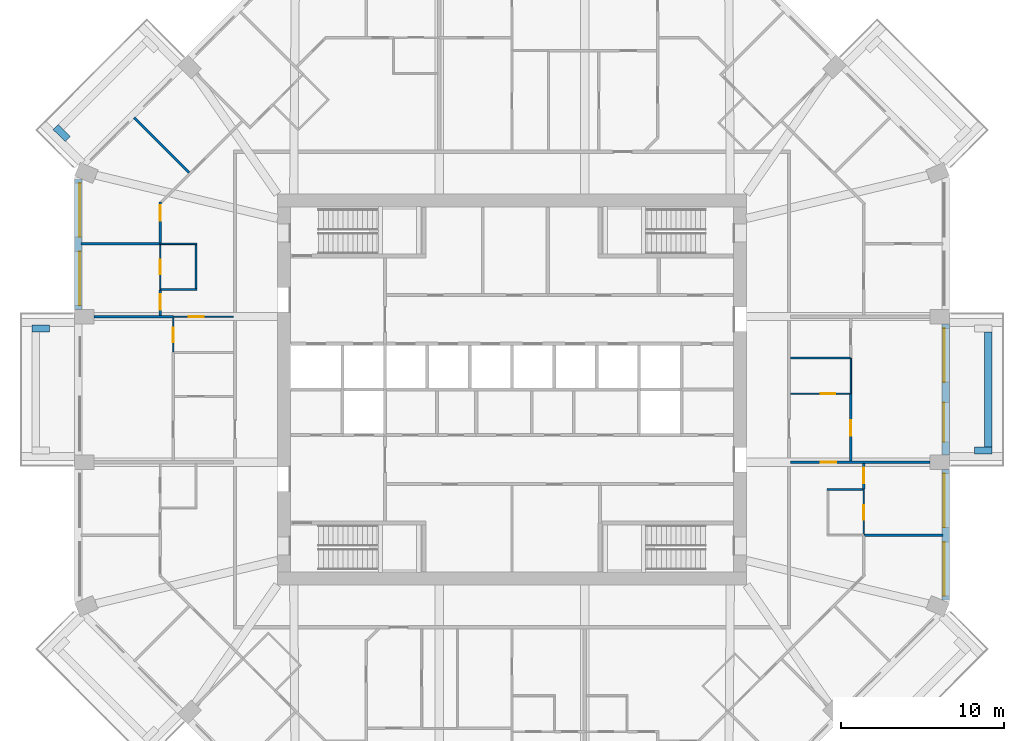
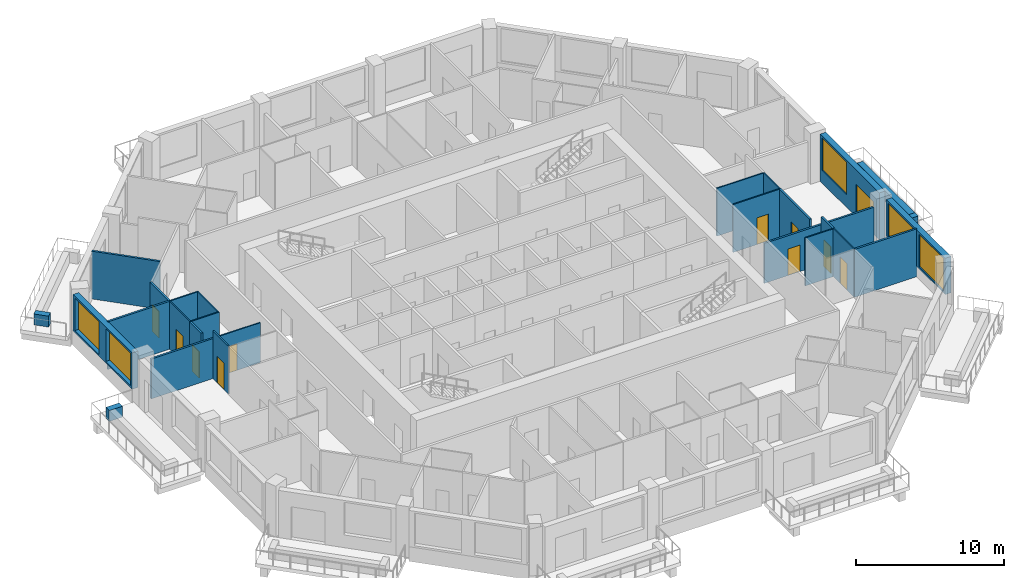
# One storey, part 7 of 13: 27 walls, 11 doors, 5 windows, 16 openings.
"""IFC4 building model written with IfcOpenShell, lengths in metres."""

from ifc_helpers import new_model, si_unit, direction, frame, frame_2d, origin, place, context, subcontext, project, spatial, rectangle, extrude, material, layer, layer_set, type_object, element, fill, save


model = new_model("IFC4")

# Units and contexts
model_context = context("Model", 3, precision=1e-05, world=origin(), true_north=direction((0.0, 1.0)))
body_context = subcontext(model_context, "Body", "Model", "MODEL_VIEW")
ifc_project = project(units=[si_unit("LENGTHUNIT", "METRE"), si_unit("AREAUNIT", "SQUARE_METRE"), si_unit("VOLUMEUNIT", "CUBIC_METRE"), si_unit("PLANEANGLEUNIT", "RADIAN"), si_unit("MASSUNIT", "GRAM", prefix="KILO")], contexts=[model_context])

# Site, building, storey
site_placement = place(None, origin())
site = spatial("IfcSite", under=ifc_project, at=site_placement, CompositionType="ELEMENT")
building_placement = place(site_placement, origin())
building = spatial("IfcBuilding", under=site, at=building_placement, Name="Msitu Wima Residences", CompositionType="ELEMENT")
storey_placement = place(building_placement, frame((0.0, 0.0, 114.89990234375)))
storey = spatial("IfcBuildingStorey", under=building, at=storey_placement, Name="L26", CompositionType="ELEMENT", Elevation=114.89990234375)

# Walls
ifc_material_1 = material(Name="Facing brick")
ifc_layer_1 = layer(ifc_material_1, 0.06494140625, Name="Facing brick")
ifc_material_2 = material(Name="Concrete C40/50", Category="concrete")
ifc_layer_2 = layer(ifc_material_2, 0.156005859375, Name="Concrete C40/50")
ifc_material_3 = material(Name="Waterproofing membrane")
ifc_layer_3 = layer(ifc_material_3, 0.00390625, Name="Waterproofing membrane")
ifc_material_4 = material(Name="Planting soil and planting")
ifc_layer_4 = layer(ifc_material_4, 0.22509765625, Name="Planting soil and planting")
ifc_layer_set_1 = layer_set([ifc_layer_1, ifc_layer_2, ifc_layer_3, ifc_layer_4], Name="Concrete C40/50")
wall_type_1 = type_object("IfcWallType", Name="Balcony planter PLANTER PL450", PredefinedType="USERDEFINED", material=ifc_layer_set_1)
wall_1_placement = place(storey_placement, frame((29.22509765625, -3.5185546875, 0.0), z_axis=(0.0, 0.0, 1.0), x_axis=(0.0, 1.0, 0.0)))
element("IfcWall", 1, at=wall_1_placement, inside=storey, type_object=wall_type_1, Name="Balcony planter E1 L26", ObjectType="PLANTER", PredefinedType="USERDEFINED", context=body_context, shape_type="SweptSolid", body=[
    extrude(rectangle(XDim=7.037109375, YDim=0.449951171875, at=frame_2d((3.5185546875, 0.0))), origin(), (0.0, 0.0, 1.0), 0.900146484375),
])
for number, where, z_axis, x_axis, name in (
    (2, (28.39990234375, -3.74365234375, 0.0), (0.0, 0.0, 1.0), (1.0, 0.0, 0.0), "Balcony planter E1 L26"),
    (3, (-27.26611328125, 15.3681640625, 0.0), (0.0, 0.0, 1.0), (-0.707223014731, 0.706990528533, 0.0), "Balcony planter NW1 L26"),
    (4, (-28.39990234375, 3.74365234375, 0.0), (0.0, 0.0, 1.0), (-1.0, 0.0, 0.0), "Balcony planter W1 L26"),
):
    element("IfcWall", number, at=place(storey_placement, frame(where, z_axis=z_axis, x_axis=x_axis)), inside=storey, type_object=wall_type_1, Name=name, ObjectType="PLANTER", PredefinedType="USERDEFINED", context=body_context, shape_type="SweptSolid", body=[
        extrude(rectangle(XDim=1.050048828125, YDim=0.449951171875, at=frame_2d((0.52490234375, 0.0))), origin(), (0.0, 0.0, 1.0), 0.900146484375),
    ])

# Wall, openings, windows
ifc_material_5 = material(Name="Brick (red buff mix)", Category="masonry")
ifc_layer_5 = layer(ifc_material_5, 0.449951171875)
ifc_layer_set_2 = layer_set([ifc_layer_5], Name="Brick (red buff mix)")
wall_type_2 = type_object("IfcWallType", Name="Brick infill wall BW450", PredefinedType="SOLIDWALL", material=ifc_layer_set_2)
wall_2_placement = place(storey_placement, frame((26.625, -12.918701171875, 0.900146484375), z_axis=(0.0, 0.0, 1.0), x_axis=(0.0, 1.0, 0.0)))
wall_2 = element("IfcWall", 5, at=wall_2_placement, inside=storey, type_object=wall_type_2, Name="Brick infill wall L26 E0", PredefinedType="SOLIDWALL", context=body_context, shape_type="SweptSolid", body=[
    extrude(rectangle(XDim=8.0, YDim=0.449951171875, at=frame_2d((4.0, 0.0))), origin(), (0.0, 0.0, 1.0), 3.0),
])
opening_1_placement = place(wall_2_placement, frame((0.25, 0.0, 0.14990234375)))
opening_1 = element("IfcOpeningElement", 6, at=opening_1_placement, cuts=wall_2, Name="Opening W25-26.001", PredefinedType="OPENING", context=body_context, shape_type="SweptSolid", body=[
    extrude(rectangle(XDim=3.300048828125, YDim=2.699951171875, at=frame_2d((1.64990234375, 1.35009765625))), frame((0.0, 0.23486328125, 0.0), z_axis=(0.0, -1.0, 0.0), x_axis=(1.0, 0.0, 0.0)), (0.0, 0.0, 1.0), 0.469970703125),
])
opening_2_placement = place(wall_2_placement, frame((4.4501953125, 0.0, 0.14990234375)))
opening_2 = element("IfcOpeningElement", 7, at=opening_2_placement, cuts=wall_2, Name="Opening W25-26.002", PredefinedType="OPENING", context=body_context, shape_type="SweptSolid", body=[
    extrude(rectangle(XDim=3.300048828125, YDim=2.699951171875, at=frame_2d((1.64990234375, 1.35009765625))), frame((0.0, 0.23486328125, 0.0), z_axis=(0.0, -1.0, 0.0), x_axis=(1.0, 0.0, 0.0)), (0.0, 0.0, 1.0), 0.469970703125),
])
ifc_material_6 = material(Name="Anodised aluminium, bronze finish, clear low-emissivity double glazing", Category="aluminium")
window_type = type_object("IfcWindowType", Name="Window W3300x2700", PartitioningType="DOUBLE_PANEL_VERTICAL", PredefinedType="WINDOW", material=ifc_material_6)
window_1_placement = place(opening_1_placement, origin())
window_1 = element("IfcWindow", 8, at=window_1_placement, inside=storey, type_object=window_type, Name="Window L26 E0.1", OverallHeight=2.699951171875, OverallWidth=3.300048828125, PartitioningType="SINGLE_PANEL", PredefinedType="WINDOW", context=body_context, shape_type="SweptSolid", body=[
    extrude(rectangle(XDim=3.300048828125, YDim=2.699951171875, at=frame_2d((1.64990234375, 1.35009765625))), frame((0.0, 0.135009765625, 0.0), z_axis=(0.0, -1.0, 0.0), x_axis=(1.0, 0.0, 0.0)), (0.0, 0.0, 1.0), 0.06005859375),
])
fill(opening_1, window_1)
window_2_placement = place(opening_2_placement, origin())
window_2 = element("IfcWindow", 9, at=window_2_placement, inside=storey, type_object=window_type, Name="Window L26 E0.2", OverallHeight=2.699951171875, OverallWidth=3.300048828125, PartitioningType="SINGLE_PANEL", PredefinedType="WINDOW", context=body_context, shape_type="SweptSolid", body=[
    extrude(rectangle(XDim=3.300048828125, YDim=2.699951171875, at=frame_2d((1.64990234375, 1.35009765625))), frame((0.0, 0.135009765625, 0.0), z_axis=(0.0, -1.0, 0.0), x_axis=(1.0, 0.0, 0.0)), (0.0, 0.0, 1.0), 0.06005859375),
])
fill(opening_2, window_2)

# Wall, openings, door, window
wall_3_placement = place(storey_placement, frame((26.625, -4.0185546875, 0.0), z_axis=(0.0, 0.0, 1.0), x_axis=(0.0, 1.0, 0.0)))
wall_3 = element("IfcWall", 10, at=wall_3_placement, inside=storey, type_object=wall_type_2, Name="Brick infill wall L26 E1", PredefinedType="SOLIDWALL", context=body_context, shape_type="SweptSolid", body=[
    extrude(rectangle(XDim=8.037109375, YDim=0.449951171875, at=frame_2d((4.0185546875, 0.0))), origin(), (0.0, 0.0, 1.0), 3.900146484375),
])
opening_3_placement = place(wall_3_placement, frame((0.809326171875, 0.0, 0.0)))
opening_3 = element("IfcOpeningElement", 11, at=opening_3_placement, cuts=wall_3, Name="Opening D25-26.001", PredefinedType="OPENING", context=body_context, shape_type="SweptSolid", body=[
    extrude(rectangle(XDim=2.39990234375, YDim=2.699951171875, at=frame_2d((1.199951171875, 1.35009765625))), frame((0.0, 0.23486328125, 0.0), z_axis=(0.0, -1.0, 0.0), x_axis=(1.0, 0.0, 0.0)), (0.0, 0.0, 1.0), 0.469970703125),
])
opening_4_placement = place(wall_3_placement, frame((4.46875, 0.0, 1.050048828125)))
opening_4 = element("IfcOpeningElement", 12, at=opening_4_placement, cuts=wall_3, Name="Opening W25-26.003", PredefinedType="OPENING", context=body_context, shape_type="SweptSolid", body=[
    extrude(rectangle(XDim=3.300048828125, YDim=2.699951171875, at=frame_2d((1.64990234375, 1.35009765625))), frame((0.0, 0.23486328125, 0.0), z_axis=(0.0, -1.0, 0.0), x_axis=(1.0, 0.0, 0.0)), (0.0, 0.0, 1.0), 0.469970703125),
])
door_type_1 = type_object("IfcDoorType", Name="Balcony door D2400x2700", OperationType="SLIDING_TO_LEFT", PredefinedType="DOOR", material=ifc_material_6)
door_1_placement = place(opening_3_placement, origin())
door_1 = element("IfcDoor", 13, at=door_1_placement, inside=storey, type_object=door_type_1, Name="Balcony door L26 E1", OperationType="SINGLE_SWING_LEFT", OverallHeight=2.699951171875, OverallWidth=2.39990234375, PredefinedType="DOOR", context=body_context, shape_type="SweptSolid", body=[
    extrude(rectangle(XDim=2.39990234375, YDim=2.699951171875, at=frame_2d((1.199951171875, 1.35009765625))), frame((0.0, 0.1298828125, 0.0), z_axis=(0.0, -1.0, 0.0), x_axis=(1.0, 0.0, 0.0)), (0.0, 0.0, 1.0), 0.050048828125),
])
fill(opening_3, door_1)
window_3_placement = place(opening_4_placement, origin())
window_3 = element("IfcWindow", 14, at=window_3_placement, inside=storey, type_object=window_type, Name="Window L26 E1.2", OverallHeight=2.699951171875, OverallWidth=3.300048828125, PartitioningType="SINGLE_PANEL", PredefinedType="WINDOW", context=body_context, shape_type="SweptSolid", body=[
    extrude(rectangle(XDim=3.300048828125, YDim=2.699951171875, at=frame_2d((1.64990234375, 1.35009765625))), frame((0.0, 0.135009765625, 0.0), z_axis=(0.0, -1.0, 0.0), x_axis=(1.0, 0.0, 0.0)), (0.0, 0.0, 1.0), 0.06005859375),
])
fill(opening_4, window_3)

# Wall, openings, windows
wall_4_placement = place(storey_placement, frame((-26.625, 12.918701171875, 0.900146484375), z_axis=(0.0, 0.0, 1.0), x_axis=(0.0, -1.0, 0.0)))
wall_4 = element("IfcWall", 15, at=wall_4_placement, inside=storey, type_object=wall_type_2, Name="Brick infill wall L26 W0", PredefinedType="SOLIDWALL", context=body_context, shape_type="SweptSolid", body=[
    extrude(rectangle(XDim=8.0, YDim=0.449951171875, at=frame_2d((4.0, 0.0))), origin(), (0.0, 0.0, 1.0), 3.0),
])
opening_5_placement = place(wall_4_placement, frame((0.25, 0.0, 0.14990234375)))
opening_5 = element("IfcOpeningElement", 16, at=opening_5_placement, cuts=wall_4, Name="Opening W25-26.026", PredefinedType="OPENING", context=body_context, shape_type="SweptSolid", body=[
    extrude(rectangle(XDim=3.300048828125, YDim=2.699951171875, at=frame_2d((1.64990234375, 1.35009765625))), frame((0.0, 0.23486328125, 0.0), z_axis=(0.0, -1.0, 0.0), x_axis=(1.0, 0.0, 0.0)), (0.0, 0.0, 1.0), 0.469970703125),
])
opening_6_placement = place(wall_4_placement, frame((4.4501953125, 0.0, 0.14990234375)))
opening_6 = element("IfcOpeningElement", 17, at=opening_6_placement, cuts=wall_4, Name="Opening W25-26.027", PredefinedType="OPENING", context=body_context, shape_type="SweptSolid", body=[
    extrude(rectangle(XDim=3.300048828125, YDim=2.699951171875, at=frame_2d((1.64990234375, 1.35009765625))), frame((0.0, 0.23486328125, 0.0), z_axis=(0.0, -1.0, 0.0), x_axis=(1.0, 0.0, 0.0)), (0.0, 0.0, 1.0), 0.469970703125),
])
window_4_placement = place(opening_5_placement, origin())
window_4 = element("IfcWindow", 18, at=window_4_placement, inside=storey, type_object=window_type, Name="Window L26 W0.1", OverallHeight=2.699951171875, OverallWidth=3.300048828125, PartitioningType="SINGLE_PANEL", PredefinedType="WINDOW", context=body_context, shape_type="SweptSolid", body=[
    extrude(rectangle(XDim=3.300048828125, YDim=2.699951171875, at=frame_2d((1.64990234375, 1.35009765625))), frame((0.0, 0.135009765625, 0.0), z_axis=(0.0, -1.0, 0.0), x_axis=(1.0, 0.0, 0.0)), (0.0, 0.0, 1.0), 0.06005859375),
])
fill(opening_5, window_4)
window_5_placement = place(opening_6_placement, origin())
window_5 = element("IfcWindow", 19, at=window_5_placement, inside=storey, type_object=window_type, Name="Window L26 W0.2", OverallHeight=2.699951171875, OverallWidth=3.300048828125, PartitioningType="SINGLE_PANEL", PredefinedType="WINDOW", context=body_context, shape_type="SweptSolid", body=[
    extrude(rectangle(XDim=3.300048828125, YDim=2.699951171875, at=frame_2d((1.64990234375, 1.35009765625))), frame((0.0, 0.135009765625, 0.0), z_axis=(0.0, -1.0, 0.0), x_axis=(1.0, 0.0, 0.0)), (0.0, 0.0, 1.0), 0.06005859375),
])
fill(opening_6, window_5)

# Walls
ifc_material_7 = material(Name="Plaster")
ifc_layer_6 = layer(ifc_material_7, 0.011962890625, Name="Plaster")
ifc_material_8 = material(Name="Concrete blockwork", Category="masonry")
ifc_layer_7 = layer(ifc_material_8, 0.1259765625, Name="Concrete blockwork")
ifc_layer_8 = layer(ifc_material_7, 0.011962890625, Name="Plaster")
ifc_layer_set_3 = layer_set([ifc_layer_6, ifc_layer_7, ifc_layer_8], Name="Concrete blockwork")
wall_type_3 = type_object("IfcWallType", Name="Partition PW150", PredefinedType="PARTITIONING", material=ifc_layer_set_3)
wall_5_placement = place(storey_placement, frame((-25.64990234375, 4.46875, 0.0), z_axis=(0.0, 0.0, 1.0), x_axis=(1.0, 0.0, 0.0)))
element("IfcWall", 20, at=wall_5_placement, inside=storey, type_object=wall_type_3, Name="Partition", PredefinedType="PARTITIONING", context=body_context, shape_type="SweptSolid", body=[
    extrude(rectangle(XDim=4.869873046875, YDim=0.14990234375, at=frame_2d((2.43505859375, 0.0))), origin(), (0.0, 0.0, 1.0), 3.300048828125),
])
wall_6_placement = place(storey_placement, frame((-26.455078125, 8.937255859375, 0.0), z_axis=(0.0, 0.0, 1.0), x_axis=(1.0, 0.0, 0.0)))
element("IfcWall", 21, at=wall_6_placement, inside=storey, type_object=wall_type_3, Name="Partition", PredefinedType="PARTITIONING", context=body_context, shape_type="SweptSolid", body=[
    extrude(rectangle(XDim=4.875, YDim=0.14990234375, at=frame_2d((2.4375, 0.0))), origin(), (0.0, 0.0, 1.0), 3.9501953125),
])
wall_7_placement = place(storey_placement, frame((-23.1904296875, 16.693359375, 0.0), z_axis=(0.0, 0.0, 1.0), x_axis=(0.707106781187, -0.707106781187, 0.0)))
element("IfcWall", 22, at=wall_7_placement, inside=storey, type_object=wall_type_3, Name="Partition", PredefinedType="PARTITIONING", context=body_context, shape_type="SweptSolid", body=[
    extrude(rectangle(XDim=4.7802734375, YDim=0.14990234375, at=frame_2d((2.39013671875, 0.0))), origin(), (0.0, 0.0, 1.0), 3.9501953125),
])

# Wall, opening, door
wall_8_placement = place(storey_placement, frame((-21.60009765625, 4.543701171875, 0.0), z_axis=(0.0, 0.0, 1.0), x_axis=(0.0, 1.0, 0.0)))
wall_8 = element("IfcWall", 23, at=wall_8_placement, inside=storey, type_object=wall_type_3, Name="Partition", PredefinedType="PARTITIONING", context=body_context, shape_type="SweptSolid", body=[
    extrude(rectangle(XDim=1.573486328125, YDim=0.14990234375, at=frame_2d((0.78662109375, 0.0))), origin(), (0.0, 0.0, 1.0), 3.9501953125),
])
opening_7_placement = place(wall_8_placement, frame((0.35009765625, 0.0, 0.0)))
opening_7 = element("IfcOpeningElement", 24, at=opening_7_placement, cuts=wall_8, Name="Opening D25-26.052", PredefinedType="OPENING", context=body_context, shape_type="SweptSolid", body=[
    extrude(rectangle(XDim=0.949951171875, YDim=2.199951171875, at=frame_2d((0.47509765625, 1.10009765625))), frame((0.0, 0.0849609375, 0.0), z_axis=(0.0, -1.0, 0.0), x_axis=(1.0, 0.0, 0.0)), (0.0, 0.0, 1.0), 0.169921875),
])
ifc_material_9 = material(Name="Timber flush door", Category="wood")
door_type_2 = type_object("IfcDoorType", Name="Room door D12 950x2200", OperationType="SINGLE_SWING_LEFT", PredefinedType="DOOR", material=ifc_material_9)
door_2_placement = place(opening_7_placement, origin())
door_2 = element("IfcDoor", 25, at=door_2_placement, inside=storey, type_object=door_type_2, Name="Room door", OperationType="SINGLE_SWING_LEFT", OverallHeight=2.199951171875, OverallWidth=0.949951171875, PredefinedType="DOOR", context=body_context, shape_type="SweptSolid", body=[
    extrude(rectangle(XDim=0.949951171875, YDim=2.199951171875, at=frame_2d((0.47509765625, 1.10009765625))), frame((0.0, 0.02490234375, 0.0), z_axis=(0.0, -1.0, 0.0), x_axis=(1.0, 0.0, 0.0)), (0.0, 0.0, 1.0), 0.050048828125),
])
fill(opening_7, door_2)

wall_9_placement = place(storey_placement, frame((-21.60009765625, 8.957275390625, 0.0), z_axis=(0.0, 0.0, 1.0), x_axis=(0.0, 1.0, 0.0)))
wall_9 = element("IfcWall", 26, at=wall_9_placement, inside=storey, type_object=wall_type_3, Name="Partition", PredefinedType="PARTITIONING", context=body_context, shape_type="SweptSolid", body=[
    extrude(rectangle(XDim=2.535400390625, YDim=0.14990234375, at=frame_2d((1.267578125, 0.0))), origin(), (0.0, 0.0, 1.0), 3.9501953125),
])
opening_8_placement = place(wall_9_placement, frame((1.39990234375, 0.0, 0.0)))
opening_8 = element("IfcOpeningElement", 27, at=opening_8_placement, cuts=wall_9, Name="Opening D25-26.060", PredefinedType="OPENING", context=body_context, shape_type="SweptSolid", body=[
    extrude(rectangle(XDim=0.949951171875, YDim=2.199951171875, at=frame_2d((0.47509765625, 1.10009765625))), frame((0.0, 0.0849609375, 0.0), z_axis=(0.0, -1.0, 0.0), x_axis=(1.0, 0.0, 0.0)), (0.0, 0.0, 1.0), 0.169921875),
])
door_3_placement = place(opening_8_placement, origin())
door_3 = element("IfcDoor", 28, at=door_3_placement, inside=storey, type_object=door_type_2, Name="Room door", OperationType="SINGLE_SWING_LEFT", OverallHeight=2.199951171875, OverallWidth=0.949951171875, PredefinedType="DOOR", context=body_context, shape_type="SweptSolid", body=[
    extrude(rectangle(XDim=0.949951171875, YDim=2.199951171875, at=frame_2d((0.47509765625, 1.10009765625))), frame((0.0, 0.02490234375, 0.0), z_axis=(0.0, -1.0, 0.0), x_axis=(1.0, 0.0, 0.0)), (0.0, 0.0, 1.0), 0.050048828125),
])
fill(opening_8, door_3)

wall_10_placement = place(storey_placement, frame((17.10009765625, -4.46875, 0.0), z_axis=(0.0, 0.0, 1.0), x_axis=(1.0, 0.0, 0.0)))
wall_10 = element("IfcWall", 29, at=wall_10_placement, inside=storey, type_object=wall_type_3, Name="Partition", PredefinedType="PARTITIONING", context=body_context, shape_type="SweptSolid", body=[
    extrude(rectangle(XDim=8.5498046875, YDim=0.14990234375, at=frame_2d((4.27490234375, 0.0))), origin(), (0.0, 0.0, 1.0), 3.300048828125),
])
opening_9_placement = place(wall_10_placement, frame((1.85009765625, 0.0, 0.0)))
opening_9 = element("IfcOpeningElement", 30, at=opening_9_placement, cuts=wall_10, Name="Opening D25-26.078", PredefinedType="OPENING", context=body_context, shape_type="SweptSolid", body=[
    extrude(rectangle(XDim=0.949951171875, YDim=2.199951171875, at=frame_2d((0.47509765625, 1.10009765625))), frame((0.0, 0.0849609375, 0.0), z_axis=(0.0, -1.0, 0.0), x_axis=(1.0, 0.0, 0.0)), (0.0, 0.0, 1.0), 0.169921875),
])
door_4_placement = place(opening_9_placement, origin())
door_4 = element("IfcDoor", 31, at=door_4_placement, inside=storey, type_object=door_type_2, Name="Room door", OperationType="SINGLE_SWING_LEFT", OverallHeight=2.199951171875, OverallWidth=0.949951171875, PredefinedType="DOOR", context=body_context, shape_type="SweptSolid", body=[
    extrude(rectangle(XDim=0.949951171875, YDim=2.199951171875, at=frame_2d((0.47509765625, 1.10009765625))), frame((0.0, 0.02490234375, 0.0), z_axis=(0.0, -1.0, 0.0), x_axis=(1.0, 0.0, 0.0)), (0.0, 0.0, 1.0), 0.050048828125),
])
fill(opening_9, door_4)

wall_11_placement = place(storey_placement, frame((20.800048828125, -4.3935546875, 0.0), z_axis=(0.0, 0.0, 1.0), x_axis=(0.0, 1.0, 0.0)))
wall_11 = element("IfcWall", 32, at=wall_11_placement, inside=storey, type_object=wall_type_3, Name="Partition", PredefinedType="PARTITIONING", context=body_context, shape_type="SweptSolid", body=[
    extrude(rectangle(XDim=4.14501953125, YDim=0.14990234375, at=frame_2d((2.072509765625, 0.0))), origin(), (0.0, 0.0, 1.0), 3.9501953125),
])
opening_10_placement = place(wall_11_placement, frame((1.550048828125, 0.0, 0.0)))
opening_10 = element("IfcOpeningElement", 33, at=opening_10_placement, cuts=wall_11, Name="Opening D25-26.077", PredefinedType="OPENING", context=body_context, shape_type="SweptSolid", body=[
    extrude(rectangle(XDim=0.949951171875, YDim=2.199951171875, at=frame_2d((0.47509765625, 1.10009765625))), frame((0.0, 0.0849609375, 0.0), z_axis=(0.0, -1.0, 0.0), x_axis=(1.0, 0.0, 0.0)), (0.0, 0.0, 1.0), 0.169921875),
])
door_5_placement = place(opening_10_placement, origin())
door_5 = element("IfcDoor", 34, at=door_5_placement, inside=storey, type_object=door_type_2, Name="Room door", OperationType="SINGLE_SWING_RIGHT", OverallHeight=2.199951171875, OverallWidth=0.949951171875, PredefinedType="DOOR", context=body_context, shape_type="SweptSolid", body=[
    extrude(rectangle(XDim=0.949951171875, YDim=2.199951171875, at=frame_2d((0.47509765625, 1.10009765625))), frame((0.0, 0.02490234375, 0.0), z_axis=(0.0, -1.0, 0.0), x_axis=(1.0, 0.0, 0.0)), (0.0, 0.0, 1.0), 0.050048828125),
])
fill(opening_10, door_5)

# Wall
wall_12_placement = place(storey_placement, frame((21.580078125, -8.937255859375, 0.0), z_axis=(0.0, 0.0, 1.0), x_axis=(1.0, 0.0, 0.0)))
element("IfcWall", 35, at=wall_12_placement, inside=storey, type_object=wall_type_3, Name="Partition", PredefinedType="PARTITIONING", context=body_context, shape_type="SweptSolid", body=[
    extrude(rectangle(XDim=4.875, YDim=0.14990234375, at=frame_2d((2.4375, 0.0))), origin(), (0.0, 0.0, 1.0), 3.9501953125),
])

# Wall, opening, door
wall_13_placement = place(storey_placement, frame((21.60009765625, -6.1171875, 0.0), z_axis=(0.0, 0.0, 1.0), x_axis=(0.0, 1.0, 0.0)))
wall_13 = element("IfcWall", 36, at=wall_13_placement, inside=storey, type_object=wall_type_3, Name="Partition", PredefinedType="PARTITIONING", context=body_context, shape_type="SweptSolid", body=[
    extrude(rectangle(XDim=1.573486328125, YDim=0.14990234375, at=frame_2d((0.78662109375, 0.0))), origin(), (0.0, 0.0, 1.0), 3.9501953125),
])
opening_11_placement = place(wall_13_placement, frame((0.35009765625, 0.0, 0.0)))
opening_11 = element("IfcOpeningElement", 37, at=opening_11_placement, cuts=wall_13, Name="Opening D25-26.083", PredefinedType="OPENING", context=body_context, shape_type="SweptSolid", body=[
    extrude(rectangle(XDim=0.949951171875, YDim=2.199951171875, at=frame_2d((0.47509765625, 1.10009765625))), frame((0.0, 0.0849609375, 0.0), z_axis=(0.0, -1.0, 0.0), x_axis=(1.0, 0.0, 0.0)), (0.0, 0.0, 1.0), 0.169921875),
])
door_6_placement = place(opening_11_placement, origin())
door_6 = element("IfcDoor", 38, at=door_6_placement, inside=storey, type_object=door_type_2, Name="Room door", OperationType="SINGLE_SWING_LEFT", OverallHeight=2.199951171875, OverallWidth=0.949951171875, PredefinedType="DOOR", context=body_context, shape_type="SweptSolid", body=[
    extrude(rectangle(XDim=0.949951171875, YDim=2.199951171875, at=frame_2d((0.47509765625, 1.10009765625))), frame((0.0, 0.02490234375, 0.0), z_axis=(0.0, -1.0, 0.0), x_axis=(1.0, 0.0, 0.0)), (0.0, 0.0, 1.0), 0.050048828125),
])
fill(opening_11, door_6)

# Wall
ifc_material_10 = material(Name="Ceramic tiles")
ifc_layer_9 = layer(ifc_material_10, 0.008056640625, Name="Ceramic tiles")
ifc_material_11 = material(Name="Moisture-resistant board")
ifc_layer_10 = layer(ifc_material_11, 0.012451171875, Name="Moisture-resistant board")
ifc_material_12 = material(Name="Light-gauge stud framing with mineral wool")
ifc_layer_11 = layer(ifc_material_12, 0.06689453125, Name="Light-gauge stud framing with mineral wool")
ifc_layer_12 = layer(ifc_material_11, 0.012451171875, Name="Moisture-resistant board")
ifc_layer_set_4 = layer_set([ifc_layer_9, ifc_layer_10, ifc_layer_11, ifc_layer_12], Name="Light-gauge stud framing with mineral wool")
wall_type_4 = type_object("IfcWallType", Name="Wet wall PW100", PredefinedType="PARTITIONING", material=ifc_layer_set_4)
wall_14_placement = place(storey_placement, frame((-21.580078125, 8.937255859375, 0.0), z_axis=(0.0, 0.0, 1.0), x_axis=(1.0, 0.0, 0.0)))
element("IfcWall", 39, at=wall_14_placement, inside=storey, type_object=wall_type_4, Name="Wet wall", PredefinedType="PARTITIONING", context=body_context, shape_type="SweptSolid", body=[
    extrude(rectangle(XDim=2.22998046875, YDim=0.10009765625, at=frame_2d((1.114990234375, 0.0))), origin(), (0.0, 0.0, 1.0), 3.9501953125),
])

# Wall, opening, door
wall_15_placement = place(storey_placement, frame((-21.60009765625, 6.1171875, 0.0), z_axis=(0.0, 0.0, 1.0), x_axis=(0.0, 1.0, 0.0)))
wall_15 = element("IfcWall", 40, at=wall_15_placement, inside=storey, type_object=wall_type_4, Name="Wet wall", PredefinedType="PARTITIONING", context=body_context, shape_type="SweptSolid", body=[
    extrude(rectangle(XDim=2.840087890625, YDim=0.10009765625, at=frame_2d((1.419921875, 0.0))), origin(), (0.0, 0.0, 1.0), 3.9501953125),
])
opening_12_placement = place(wall_15_placement, frame((0.949951171875, 0.0, 0.0)))
opening_12 = element("IfcOpeningElement", 41, at=opening_12_placement, cuts=wall_15, Name="Opening D25-26.054", PredefinedType="OPENING", context=body_context, shape_type="SweptSolid", body=[
    extrude(rectangle(XDim=0.89990234375, YDim=2.199951171875, at=frame_2d((0.449951171875, 1.10009765625))), frame((0.0, 0.06005859375, 0.0), z_axis=(0.0, -1.0, 0.0), x_axis=(1.0, 0.0, 0.0)), (0.0, 0.0, 1.0), 0.1201171875),
])
ifc_material_13 = material(Name="Timber flush door, moisture resistant", Category="wood")
door_type_3 = type_object("IfcDoorType", Name="Bathroom door D03 900x2200", OperationType="SINGLE_SWING_LEFT", PredefinedType="DOOR", material=ifc_material_13)
door_7_placement = place(opening_12_placement, origin())
door_7 = element("IfcDoor", 42, at=door_7_placement, inside=storey, type_object=door_type_3, Name="Bathroom door", OperationType="SINGLE_SWING_RIGHT", OverallHeight=2.199951171875, OverallWidth=0.89990234375, PredefinedType="DOOR", context=body_context, shape_type="SweptSolid", body=[
    extrude(rectangle(XDim=0.89990234375, YDim=2.199951171875, at=frame_2d((0.449951171875, 1.10009765625))), frame((0.0, 0.02490234375, 0.0), z_axis=(0.0, -1.0, 0.0), x_axis=(1.0, 0.0, 0.0)), (0.0, 0.0, 1.0), 0.050048828125),
])
fill(opening_12, door_7)

# Wall
wall_16_placement = place(storey_placement, frame((-21.550048828125, 6.13720703125, 0.0), z_axis=(0.0, 0.0, 1.0), x_axis=(1.0, 0.0, 0.0)))
element("IfcWall", 43, at=wall_16_placement, inside=storey, type_object=wall_type_4, Name="Wet wall", PredefinedType="PARTITIONING", context=body_context, shape_type="SweptSolid", body=[
    extrude(rectangle(XDim=2.199951171875, YDim=0.10009765625, at=frame_2d((1.10009765625, 0.0))), origin(), (0.0, 0.0, 1.0), 3.9501953125),
])

# Wall, opening, door
wall_17_placement = place(storey_placement, frame((-20.780029296875, 4.46875, 0.0), z_axis=(0.0, 0.0, 1.0), x_axis=(1.0, 0.0, 0.0)))
wall_17 = element("IfcWall", 44, at=wall_17_placement, inside=storey, type_object=wall_type_4, Name="Wet wall", PredefinedType="PARTITIONING", context=body_context, shape_type="SweptSolid", body=[
    extrude(rectangle(XDim=3.679931640625, YDim=0.10009765625, at=frame_2d((1.83984375, 0.0))), origin(), (0.0, 0.0, 1.0), 3.300048828125),
])
opening_13_placement = place(wall_17_placement, frame((0.949951171875, 0.0, 0.0)))
opening_13 = element("IfcOpeningElement", 45, at=opening_13_placement, cuts=wall_17, Name="Opening D25-26.050", PredefinedType="OPENING", context=body_context, shape_type="SweptSolid", body=[
    extrude(rectangle(XDim=0.89990234375, YDim=2.199951171875, at=frame_2d((0.449951171875, 1.10009765625))), frame((0.0, 0.06005859375, 0.0), z_axis=(0.0, -1.0, 0.0), x_axis=(1.0, 0.0, 0.0)), (0.0, 0.0, 1.0), 0.1201171875),
])
door_8_placement = place(opening_13_placement, origin())
door_8 = element("IfcDoor", 46, at=door_8_placement, inside=storey, type_object=door_type_3, Name="Bathroom door", OperationType="SINGLE_SWING_RIGHT", OverallHeight=2.199951171875, OverallWidth=0.89990234375, PredefinedType="DOOR", context=body_context, shape_type="SweptSolid", body=[
    extrude(rectangle(XDim=0.89990234375, YDim=2.199951171875, at=frame_2d((0.449951171875, 1.10009765625))), frame((0.0, 0.02490234375, 0.0), z_axis=(0.0, -1.0, 0.0), x_axis=(1.0, 0.0, 0.0)), (0.0, 0.0, 1.0), 0.050048828125),
])
fill(opening_13, door_8)

wall_18_placement = place(storey_placement, frame((-20.800048828125, 2.28857421875, 0.0), z_axis=(0.0, 0.0, 1.0), x_axis=(0.0, 1.0, 0.0)))
wall_18 = element("IfcWall", 47, at=wall_18_placement, inside=storey, type_object=wall_type_4, Name="Wet wall", PredefinedType="PARTITIONING", context=body_context, shape_type="SweptSolid", body=[
    extrude(rectangle(XDim=2.10498046875, YDim=0.10009765625, at=frame_2d((1.052490234375, 0.0))), origin(), (0.0, 0.0, 1.0), 3.9501953125),
])
opening_14_placement = place(wall_18_placement, frame((0.60009765625, 0.0, 0.0)))
opening_14 = element("IfcOpeningElement", 48, at=opening_14_placement, cuts=wall_18, Name="Opening D25-26.049", PredefinedType="OPENING", context=body_context, shape_type="SweptSolid", body=[
    extrude(rectangle(XDim=0.89990234375, YDim=2.199951171875, at=frame_2d((0.449951171875, 1.10009765625))), frame((0.0, 0.06005859375, 0.0), z_axis=(0.0, -1.0, 0.0), x_axis=(1.0, 0.0, 0.0)), (0.0, 0.0, 1.0), 0.1201171875),
])
door_9_placement = place(opening_14_placement, origin())
door_9 = element("IfcDoor", 49, at=door_9_placement, inside=storey, type_object=door_type_3, Name="Bathroom door", OperationType="SINGLE_SWING_RIGHT", OverallHeight=2.199951171875, OverallWidth=0.89990234375, PredefinedType="DOOR", context=body_context, shape_type="SweptSolid", body=[
    extrude(rectangle(XDim=0.89990234375, YDim=2.199951171875, at=frame_2d((0.449951171875, 1.10009765625))), frame((0.0, 0.02490234375, 0.0), z_axis=(0.0, -1.0, 0.0), x_axis=(1.0, 0.0, 0.0)), (0.0, 0.0, 1.0), 0.050048828125),
])
fill(opening_14, door_9)

# Wall
wall_19_placement = place(storey_placement, frame((-19.39990234375, 6.187255859375, 0.0), z_axis=(0.0, 0.0, 1.0), x_axis=(0.0, 1.0, 0.0)))
element("IfcWall", 50, at=wall_19_placement, inside=storey, type_object=wall_type_4, Name="Wet wall", PredefinedType="PARTITIONING", context=body_context, shape_type="SweptSolid", body=[
    extrude(rectangle(XDim=2.699951171875, YDim=0.10009765625, at=frame_2d((1.35009765625, 0.0))), origin(), (0.0, 0.0, 1.0), 3.9501953125),
])

# Wall, opening, door
wall_20_placement = place(storey_placement, frame((17.10009765625, -0.2685546875, 0.0), z_axis=(0.0, 0.0, 1.0), x_axis=(1.0, 0.0, 0.0)))
wall_20 = element("IfcWall", 51, at=wall_20_placement, inside=storey, type_object=wall_type_4, Name="Wet wall", PredefinedType="PARTITIONING", context=body_context, shape_type="SweptSolid", body=[
    extrude(rectangle(XDim=3.64990234375, YDim=0.10009765625, at=frame_2d((1.824951171875, 0.0))), origin(), (0.0, 0.0, 1.0), 3.9501953125),
])
opening_15_placement = place(wall_20_placement, frame((1.85009765625, 0.0, 0.0)))
opening_15 = element("IfcOpeningElement", 52, at=opening_15_placement, cuts=wall_20, Name="Opening D25-26.080", PredefinedType="OPENING", context=body_context, shape_type="SweptSolid", body=[
    extrude(rectangle(XDim=0.89990234375, YDim=2.199951171875, at=frame_2d((0.449951171875, 1.10009765625))), frame((0.0, 0.06005859375, 0.0), z_axis=(0.0, -1.0, 0.0), x_axis=(1.0, 0.0, 0.0)), (0.0, 0.0, 1.0), 0.1201171875),
])
door_10_placement = place(opening_15_placement, origin())
door_10 = element("IfcDoor", 53, at=door_10_placement, inside=storey, type_object=door_type_3, Name="Bathroom door", OperationType="SINGLE_SWING_RIGHT", OverallHeight=2.199951171875, OverallWidth=0.89990234375, PredefinedType="DOOR", context=body_context, shape_type="SweptSolid", body=[
    extrude(rectangle(XDim=0.89990234375, YDim=2.199951171875, at=frame_2d((0.449951171875, 1.10009765625))), frame((0.0, 0.02490234375, 0.0), z_axis=(0.0, -1.0, 0.0), x_axis=(1.0, 0.0, 0.0)), (0.0, 0.0, 1.0), 0.050048828125),
])
fill(opening_15, door_10)

# Walls
wall_21_placement = place(storey_placement, frame((17.10009765625, 1.931396484375, 0.0), z_axis=(0.0, 0.0, 1.0), x_axis=(1.0, 0.0, 0.0)))
element("IfcWall", 54, at=wall_21_placement, inside=storey, type_object=wall_type_4, Name="Wet wall", PredefinedType="PARTITIONING", context=body_context, shape_type="SweptSolid", body=[
    extrude(rectangle(XDim=3.64990234375, YDim=0.10009765625, at=frame_2d((1.824951171875, 0.0))), origin(), (0.0, 0.0, 1.0), 3.9501953125),
])
wall_22_placement = place(storey_placement, frame((19.35009765625, -6.13720703125, 0.0), z_axis=(0.0, 0.0, 1.0), x_axis=(1.0, 0.0, 0.0)))
element("IfcWall", 55, at=wall_22_placement, inside=storey, type_object=wall_type_4, Name="Wet wall", PredefinedType="PARTITIONING", context=body_context, shape_type="SweptSolid", body=[
    extrude(rectangle(XDim=2.1748046875, YDim=0.10009765625, at=frame_2d((1.08740234375, 0.0))), origin(), (0.0, 0.0, 1.0), 3.9501953125),
])
wall_23_placement = place(storey_placement, frame((20.800048828125, -0.24853515625, 0.0), z_axis=(0.0, 0.0, 1.0), x_axis=(0.0, 1.0, 0.0)))
element("IfcWall", 56, at=wall_23_placement, inside=storey, type_object=wall_type_4, Name="Wet wall", PredefinedType="PARTITIONING", context=body_context, shape_type="SweptSolid", body=[
    extrude(rectangle(XDim=2.159912109375, YDim=0.10009765625, at=frame_2d((1.080078125, 0.0))), origin(), (0.0, 0.0, 1.0), 3.9501953125),
])

# Wall, opening, door
wall_24_placement = place(storey_placement, frame((21.60009765625, -8.957275390625, 0.0), z_axis=(0.0, 0.0, 1.0), x_axis=(0.0, 1.0, 0.0)))
wall_24 = element("IfcWall", 57, at=wall_24_placement, inside=storey, type_object=wall_type_4, Name="Wet wall", PredefinedType="PARTITIONING", context=body_context, shape_type="SweptSolid", body=[
    extrude(rectangle(XDim=2.840087890625, YDim=0.10009765625, at=frame_2d((1.419921875, 0.0))), origin(), (0.0, 0.0, 1.0), 3.9501953125),
])
opening_16_placement = place(wall_24_placement, frame((0.949951171875, 0.0, 0.0)))
opening_16 = element("IfcOpeningElement", 58, at=opening_16_placement, cuts=wall_24, Name="Opening D25-26.084", PredefinedType="OPENING", context=body_context, shape_type="SweptSolid", body=[
    extrude(rectangle(XDim=0.89990234375, YDim=2.199951171875, at=frame_2d((0.449951171875, 1.10009765625))), frame((0.0, 0.06005859375, 0.0), z_axis=(0.0, -1.0, 0.0), x_axis=(1.0, 0.0, 0.0)), (0.0, 0.0, 1.0), 0.1201171875),
])
door_11_placement = place(opening_16_placement, origin())
door_11 = element("IfcDoor", 59, at=door_11_placement, inside=storey, type_object=door_type_3, Name="Bathroom door", OperationType="SINGLE_SWING_LEFT", OverallHeight=2.199951171875, OverallWidth=0.89990234375, PredefinedType="DOOR", context=body_context, shape_type="SweptSolid", body=[
    extrude(rectangle(XDim=0.89990234375, YDim=2.199951171875, at=frame_2d((0.449951171875, 1.10009765625))), frame((0.0, 0.02490234375, 0.0), z_axis=(0.0, -1.0, 0.0), x_axis=(1.0, 0.0, 0.0)), (0.0, 0.0, 1.0), 0.050048828125),
])
fill(opening_16, door_11)

save(model, "model.ifc")
